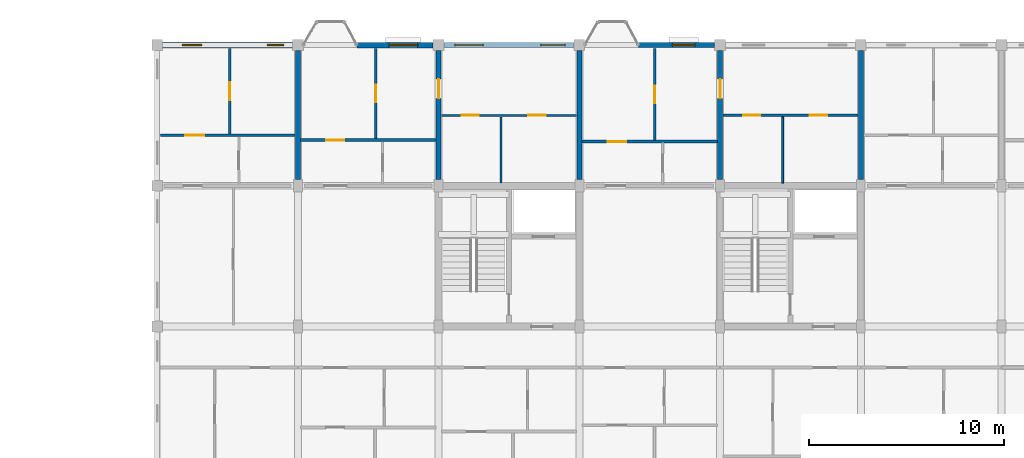
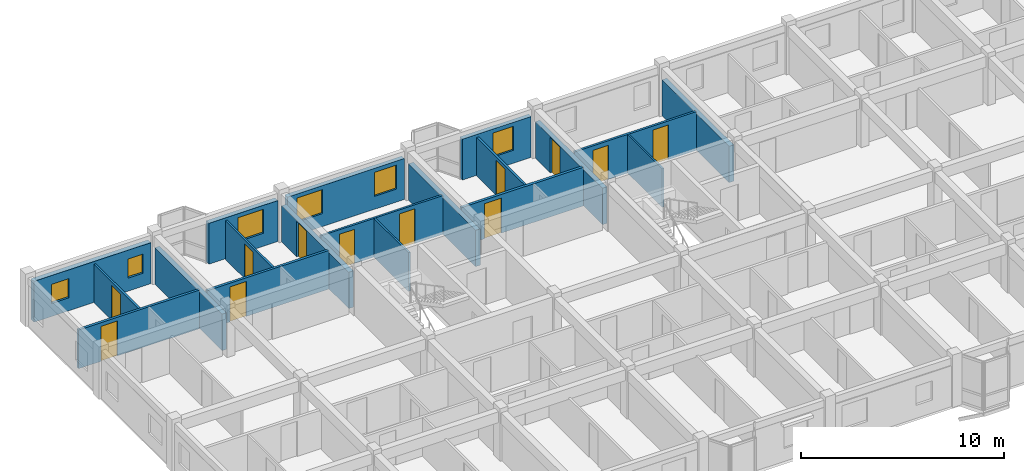
# One storey, part 69 of 77: 19 walls, 12 doors, 6 windows, 18 openings.
"""IFC4 building model written with IfcOpenShell, lengths in metres."""

from ifc_helpers import new_model, si_unit, direction, frame, frame_2d, origin, place, context, subcontext, project, spatial, rectangle, extrude, material, layer, layer_set, type_object, element, fill, save


model = new_model("IFC4")

# Units and contexts
model_context = context("Model", 3, precision=1e-05, world=origin(), true_north=direction((0.0, 1.0)))
body_context = subcontext(model_context, "Body", "Model", "MODEL_VIEW")
ifc_project = project(units=[si_unit("LENGTHUNIT", "METRE"), si_unit("AREAUNIT", "SQUARE_METRE"), si_unit("VOLUMEUNIT", "CUBIC_METRE"), si_unit("PLANEANGLEUNIT", "RADIAN"), si_unit("MASSUNIT", "GRAM", prefix="KILO"), si_unit("THERMODYNAMICTEMPERATUREUNIT", "KELVIN"), si_unit("POWERUNIT", "WATT")], contexts=[model_context])

# Site, building, storey
site_placement = place(None, origin())
site = spatial("IfcSite", under=ifc_project, at=site_placement, CompositionType="ELEMENT")
building_placement = place(site_placement, origin())
building = spatial("IfcBuilding", under=site, at=building_placement, Name="Tavuni Mirador Residences", CompositionType="ELEMENT")
storey_placement = place(building_placement, frame((0.0, 0.0, 10.800048828125)))
storey = spatial("IfcBuildingStorey", under=building, at=storey_placement, Name="L03", CompositionType="ELEMENT", Elevation=10.800048828125)

# Wall, opening, window
ifc_material_1 = material(Name="Sgraffito lime-rendered precast concrete C40/50", Category="concrete")
ifc_layer_1 = layer(ifc_material_1, 0.2451171875, Name="Sgraffito lime-rendered precast concrete C40/50", Category="concrete")
ifc_layer_set_1 = layer_set([ifc_layer_1], Name="Sgraffito lime-rendered precast concrete C40/50")
wall_type_1 = type_object("IfcWallType", Name="WT-EXT-PC245", PredefinedType="SOLIDWALL", material=ifc_layer_set_1)
wall_1_placement = place(storey_placement, frame((39.324951171875, 172.800048828125, 0.0), z_axis=(0.0, 0.0, 1.0), x_axis=(-1.0, 0.0, 0.0)))
wall_1 = element("IfcWall", 1, at=wall_1_placement, inside=storey, type_object=wall_type_1, Name="EW-BLK-C-L03-N03", PredefinedType="SOLIDWALL", context=body_context, shape_type="SweptSolid", body=[
    extrude(rectangle(XDim=3.905029296875, YDim=0.2451171875, at=frame_2d((1.95263671875, 0.0))), origin(), (0.0, 0.0, 1.0), 2.454833984375),
])
opening_1_placement = place(wall_1_placement, frame((1.012451171875, 0.0, 0.780029296875)))
opening_1 = element("IfcOpeningElement", 2, at=opening_1_placement, cuts=wall_1, Name="Opening WN-27", PredefinedType="OPENING", context=body_context, shape_type="SweptSolid", body=[
    extrude(rectangle(XDim=1.14990234375, YDim=1.43994140625, at=frame_2d((0.574951171875, 0.719970703125))), frame((0.0, 0.132568359375, 0.0), z_axis=(0.0, -1.0, 0.0), x_axis=(1.0, 0.0, 0.0)), (0.0, 0.0, 1.0), 0.26513671875),
])
ifc_material_2 = material(Name="Laminated solar-control glass", Category="glass")
window_type_1 = type_object("IfcWindowType", Name="WNT-27", PartitioningType="SINGLE_PANEL", PredefinedType="WINDOW", material=ifc_material_2)
window_1_placement = place(opening_1_placement, origin())
window_1 = element("IfcWindow", 3, at=window_1_placement, inside=storey, type_object=window_type_1, Name="WIN-0983", OverallHeight=1.43994140625, OverallWidth=1.14990234375, PartitioningType="SINGLE_PANEL", PredefinedType="WINDOW", context=body_context, shape_type="SweptSolid", body=[
    extrude(rectangle(XDim=1.14990234375, YDim=1.43994140625, at=frame_2d((0.574951171875, 0.719970703125))), frame((0.0, 0.030029296875, 0.0), z_axis=(0.0, -1.0, 0.0), x_axis=(1.0, 0.0, 0.0)), (0.0, 0.0, 1.0), 0.06005859375),
])
fill(opening_1, window_1)

# Wall, openings, windows
ifc_layer_2 = layer(ifc_material_1, 0.2548828125, Name="Sgraffito lime-rendered precast concrete C40/50", Category="concrete")
ifc_layer_set_2 = layer_set([ifc_layer_2], Name="Sgraffito lime-rendered precast concrete C40/50")
wall_type_2 = type_object("IfcWallType", Name="WT-EXT-PC255", PredefinedType="SOLIDWALL", material=ifc_layer_set_2)
wall_2_placement = place(storey_placement, frame((32.125, 172.800048828125, 0.0), z_axis=(0.0, 0.0, 1.0), x_axis=(-1.0, 0.0, 0.0)))
wall_2 = element("IfcWall", 4, at=wall_2_placement, inside=storey, type_object=wall_type_2, Name="EW-BLK-C-L03-N02", PredefinedType="SOLIDWALL", context=body_context, shape_type="SweptSolid", body=[
    extrude(rectangle(XDim=6.64990234375, YDim=0.2548828125, at=frame_2d((3.324951171875, 0.0))), origin(), (0.0, 0.0, 1.0), 2.454833984375),
])
opening_2_placement = place(wall_2_placement, frame((0.449951171875, 0.0, 0.780029296875)))
opening_2 = element("IfcOpeningElement", 5, at=opening_2_placement, cuts=wall_2, Name="Opening WN-28", PredefinedType="OPENING", context=body_context, shape_type="SweptSolid", body=[
    extrude(rectangle(XDim=1.25, YDim=1.43994140625, at=frame_2d((0.625, 0.719970703125))), frame((0.0, 0.137451171875, 0.0), z_axis=(0.0, -1.0, 0.0), x_axis=(1.0, 0.0, 0.0)), (0.0, 0.0, 1.0), 0.27490234375),
])
opening_3_placement = place(wall_2_placement, frame((4.64990234375, 0.0, 0.780029296875)))
opening_3 = element("IfcOpeningElement", 6, at=opening_3_placement, cuts=wall_2, Name="Opening WN-30", PredefinedType="OPENING", context=body_context, shape_type="SweptSolid", body=[
    extrude(rectangle(XDim=1.449951171875, YDim=1.43994140625, at=frame_2d((0.72509765625, 0.719970703125))), frame((0.0, 0.137451171875, 0.0), z_axis=(0.0, -1.0, 0.0), x_axis=(1.0, 0.0, 0.0)), (0.0, 0.0, 1.0), 0.27490234375),
])
window_type_2 = type_object("IfcWindowType", Name="WNT-28", PartitioningType="SINGLE_PANEL", PredefinedType="WINDOW", material=ifc_material_2)
window_2_placement = place(opening_2_placement, origin())
window_2 = element("IfcWindow", 7, at=window_2_placement, inside=storey, type_object=window_type_2, Name="WIN-0984", OverallHeight=1.43994140625, OverallWidth=1.25, PartitioningType="SINGLE_PANEL", PredefinedType="WINDOW", context=body_context, shape_type="SweptSolid", body=[
    extrude(rectangle(XDim=1.25, YDim=1.43994140625, at=frame_2d((0.625, 0.719970703125))), frame((0.0, 0.030029296875, 0.0), z_axis=(0.0, -1.0, 0.0), x_axis=(1.0, 0.0, 0.0)), (0.0, 0.0, 1.0), 0.06005859375),
])
fill(opening_2, window_2)
window_type_3 = type_object("IfcWindowType", Name="WNT-30", PartitioningType="SINGLE_PANEL", PredefinedType="WINDOW", material=ifc_material_2)
window_3_placement = place(opening_3_placement, origin())
window_3 = element("IfcWindow", 8, at=window_3_placement, inside=storey, type_object=window_type_3, Name="WIN-0985", OverallHeight=1.43994140625, OverallWidth=1.449951171875, PartitioningType="SINGLE_PANEL", PredefinedType="WINDOW", context=body_context, shape_type="SweptSolid", body=[
    extrude(rectangle(XDim=1.449951171875, YDim=1.43994140625, at=frame_2d((0.72509765625, 0.719970703125))), frame((0.0, 0.030029296875, 0.0), z_axis=(0.0, -1.0, 0.0), x_axis=(1.0, 0.0, 0.0)), (0.0, 0.0, 1.0), 0.06005859375),
])
fill(opening_3, window_3)

# Wall, opening, window
ifc_layer_3 = layer(ifc_material_1, 0.27490234375, Name="Sgraffito lime-rendered precast concrete C40/50", Category="concrete")
ifc_layer_set_3 = layer_set([ifc_layer_3], Name="Sgraffito lime-rendered precast concrete C40/50")
wall_type_3 = type_object("IfcWallType", Name="WT-EXT-PC275", PredefinedType="SOLIDWALL", material=ifc_layer_set_3)
wall_3_placement = place(storey_placement, frame((24.925048828125, 172.800048828125, 0.0), z_axis=(0.0, 0.0, 1.0), x_axis=(-1.0, 0.0, 0.0)))
wall_3 = element("IfcWall", 9, at=wall_3_placement, inside=storey, type_object=wall_type_3, Name="EW-BLK-C-L03-N01", PredefinedType="SOLIDWALL", context=body_context, shape_type="SweptSolid", body=[
    extrude(rectangle(XDim=3.905029296875, YDim=0.27490234375, at=frame_2d((1.95263671875, 0.0))), origin(), (0.0, 0.0, 1.0), 2.454833984375),
])
opening_4_placement = place(wall_3_placement, frame((0.802490234375, 0.0, 0.780029296875)))
opening_4 = element("IfcOpeningElement", 10, at=opening_4_placement, cuts=wall_3, Name="Opening WN-30", PredefinedType="OPENING", context=body_context, shape_type="SweptSolid", body=[
    extrude(rectangle(XDim=1.449951171875, YDim=1.43994140625, at=frame_2d((0.72509765625, 0.719970703125))), frame((0.0, 0.1474609375, 0.0), z_axis=(0.0, -1.0, 0.0), x_axis=(1.0, 0.0, 0.0)), (0.0, 0.0, 1.0), 0.294921875),
])
window_4_placement = place(opening_4_placement, origin())
window_4 = element("IfcWindow", 11, at=window_4_placement, inside=storey, type_object=window_type_3, Name="WIN-0986", OverallHeight=1.43994140625, OverallWidth=1.449951171875, PartitioningType="SINGLE_PANEL", PredefinedType="WINDOW", context=body_context, shape_type="SweptSolid", body=[
    extrude(rectangle(XDim=1.449951171875, YDim=1.43994140625, at=frame_2d((0.72509765625, 0.719970703125))), frame((0.0, 0.030029296875, 0.0), z_axis=(0.0, -1.0, 0.0), x_axis=(1.0, 0.0, 0.0)), (0.0, 0.0, 1.0), 0.06005859375),
])
fill(opening_4, window_4)

# Wall, openings, windows
ifc_layer_4 = layer(ifc_material_1, 0.2900390625, Name="Sgraffito lime-rendered precast concrete C40/50", Category="concrete")
ifc_layer_set_4 = layer_set([ifc_layer_4], Name="Sgraffito lime-rendered precast concrete C40/50")
wall_type_4 = type_object("IfcWallType", Name="WT-EXT-PC290", PredefinedType="SOLIDWALL", material=ifc_layer_set_4)
wall_4_placement = place(storey_placement, frame((17.72509765625, 172.800048828125, 0.0), z_axis=(0.0, 0.0, 1.0), x_axis=(-1.0, 0.0, 0.0)))
wall_4 = element("IfcWall", 12, at=wall_4_placement, inside=storey, type_object=wall_type_4, Name="EW-BLK-C-L03-N00", PredefinedType="SOLIDWALL", context=body_context, shape_type="SweptSolid", body=[
    extrude(rectangle(XDim=6.650146484375, YDim=0.2900390625, at=frame_2d((3.3251953125, 0.0))), origin(), (0.0, 0.0, 1.0), 2.454833984375),
])
opening_5_placement = place(wall_4_placement, frame((0.449951171875, 0.0, 0.780029296875)))
opening_5 = element("IfcOpeningElement", 13, at=opening_5_placement, cuts=wall_4, Name="Opening WN-01", PredefinedType="OPENING", context=body_context, shape_type="SweptSolid", body=[
    extrude(rectangle(XDim=0.85009765625, YDim=1.14990234375, at=frame_2d((0.425048828125, 0.574951171875))), frame((0.0, 0.155029296875, 0.0), z_axis=(0.0, -1.0, 0.0), x_axis=(1.0, 0.0, 0.0)), (0.0, 0.0, 1.0), 0.31005859375),
])
opening_6_placement = place(wall_4_placement, frame((4.64990234375, 0.0, 0.780029296875)))
opening_6 = element("IfcOpeningElement", 14, at=opening_6_placement, cuts=wall_4, Name="Opening WN-03", PredefinedType="OPENING", context=body_context, shape_type="SweptSolid", body=[
    extrude(rectangle(XDim=1.0, YDim=1.14990234375, at=frame_2d((0.5, 0.574951171875))), frame((0.0, 0.155029296875, 0.0), z_axis=(0.0, -1.0, 0.0), x_axis=(1.0, 0.0, 0.0)), (0.0, 0.0, 1.0), 0.31005859375),
])
window_type_4 = type_object("IfcWindowType", Name="WNT-01", PartitioningType="SINGLE_PANEL", PredefinedType="WINDOW", material=ifc_material_2)
window_5_placement = place(opening_5_placement, origin())
window_5 = element("IfcWindow", 15, at=window_5_placement, inside=storey, type_object=window_type_4, Name="WIN-0987", OverallHeight=1.14990234375, OverallWidth=0.85009765625, PartitioningType="SINGLE_PANEL", PredefinedType="WINDOW", context=body_context, shape_type="SweptSolid", body=[
    extrude(rectangle(XDim=0.85009765625, YDim=1.14990234375, at=frame_2d((0.425048828125, 0.574951171875))), frame((0.0, 0.030029296875, 0.0), z_axis=(0.0, -1.0, 0.0), x_axis=(1.0, 0.0, 0.0)), (0.0, 0.0, 1.0), 0.06005859375),
])
fill(opening_5, window_5)
window_type_5 = type_object("IfcWindowType", Name="WNT-03", PartitioningType="SINGLE_PANEL", PredefinedType="WINDOW", material=ifc_material_2)
window_6_placement = place(opening_6_placement, origin())
window_6 = element("IfcWindow", 16, at=window_6_placement, inside=storey, type_object=window_type_5, Name="WIN-0988", OverallHeight=1.14990234375, OverallWidth=1.0, PartitioningType="SINGLE_PANEL", PredefinedType="WINDOW", context=body_context, shape_type="SweptSolid", body=[
    extrude(rectangle(XDim=1.0, YDim=1.14990234375, at=frame_2d((0.5, 0.574951171875))), frame((0.0, 0.030029296875, 0.0), z_axis=(0.0, -1.0, 0.0), x_axis=(1.0, 0.0, 0.0)), (0.0, 0.0, 1.0), 0.06005859375),
])
fill(opening_6, window_6)

# Walls
ifc_material_3 = material(Name="Acoustic gypsum and concrete block partition", Category="concrete")
ifc_layer_5 = layer(ifc_material_3, 0.094970703125, Name="Acoustic gypsum and concrete block partition", Category="concrete")
ifc_layer_set_5 = layer_set([ifc_layer_5], Name="Acoustic gypsum and concrete block partition")
wall_type_5 = type_object("IfcWallType", Name="WT-PART095", PredefinedType="PARTITIONING", material=ifc_layer_set_5)
wall_5_placement = place(storey_placement, frame((42.800048828125, 165.739990234375, 0.0), z_axis=(0.0, 0.0, 1.0), x_axis=(0.0, 1.0, 0.0)))
element("IfcWall", 17, at=wall_5_placement, inside=storey, type_object=wall_type_5, Name="PW-BLK-C-L03-NC04-V", PredefinedType="PARTITIONING", context=body_context, shape_type="SweptSolid", body=[
    extrude(rectangle(XDim=3.389892578125, YDim=0.094970703125, at=frame_2d((1.69482421875, 0.0))), origin(), (0.0, 0.0, 1.0), 2.320068359375),
])
ifc_layer_6 = layer(ifc_material_3, 0.10498046875, Name="Acoustic gypsum and concrete block partition", Category="concrete")
ifc_layer_set_6 = layer_set([ifc_layer_6], Name="Acoustic gypsum and concrete block partition")
wall_type_6 = type_object("IfcWallType", Name="WT-PART105", PredefinedType="PARTITIONING", material=ifc_layer_set_6)
wall_6_placement = place(storey_placement, frame((28.39990234375, 165.739990234375, 0.0), z_axis=(0.0, 0.0, 1.0), x_axis=(0.0, 1.0, 0.0)))
element("IfcWall", 18, at=wall_6_placement, inside=storey, type_object=wall_type_6, Name="PW-BLK-C-L03-NC02-V", PredefinedType="PARTITIONING", context=body_context, shape_type="SweptSolid", body=[
    extrude(rectangle(XDim=3.389892578125, YDim=0.10498046875, at=frame_2d((1.69482421875, 0.0))), origin(), (0.0, 0.0, 1.0), 2.320068359375),
])

# Wall, opening, door
ifc_layer_7 = layer(ifc_material_3, 0.114990234375, Name="Acoustic gypsum and concrete block partition", Category="concrete")
ifc_layer_set_7 = layer_set([ifc_layer_7], Name="Acoustic gypsum and concrete block partition")
wall_type_7 = type_object("IfcWallType", Name="WT-PART115", PredefinedType="PARTITIONING", material=ifc_layer_set_7)
wall_7_placement = place(storey_placement, frame((14.52001953125, 168.25, 0.0), z_axis=(0.0, 0.0, 1.0), x_axis=(0.0, 1.0, 0.0)))
wall_7 = element("IfcWall", 19, at=wall_7_placement, inside=storey, type_object=wall_type_7, Name="PW-BLK-C-L03-N00-OUT", PredefinedType="PARTITIONING", context=body_context, shape_type="SweptSolid", body=[
    extrude(rectangle(XDim=4.375, YDim=0.114990234375, at=frame_2d((2.1875, 0.0))), origin(), (0.0, 0.0, 1.0), 2.320068359375),
])
opening_7_placement = place(wall_7_placement, frame((1.737548828125, 0.0, 0.0)))
opening_7 = element("IfcOpeningElement", 20, at=opening_7_placement, cuts=wall_7, Name="Opening D-07", PredefinedType="OPENING", context=body_context, shape_type="SweptSolid", body=[
    extrude(rectangle(XDim=0.89990234375, YDim=2.10009765625, at=frame_2d((0.449951171875, 1.050048828125))), frame((0.0, 0.0673828125, 0.0), z_axis=(0.0, -1.0, 0.0), x_axis=(1.0, 0.0, 0.0)), (0.0, 0.0, 1.0), 0.135009765625),
])
ifc_material_4 = material(Name="Solid core iroko timber", Category="wood")
door_type_1 = type_object("IfcDoorType", Name="DT-BED900", OperationType="NOTDEFINED", PredefinedType="DOOR", material=ifc_material_4)
door_1_placement = place(opening_7_placement, origin())
door_1 = element("IfcDoor", 21, at=door_1_placement, inside=storey, type_object=door_type_1, Name="DR-3799", OperationType="SINGLE_SWING_RIGHT", OverallHeight=2.10009765625, OverallWidth=0.89990234375, PredefinedType="DOOR", context=body_context, shape_type="SweptSolid", body=[
    extrude(rectangle(XDim=0.89990234375, YDim=2.10009765625, at=frame_2d((0.449951171875, 1.050048828125))), frame((0.0, 0.02490234375, 0.0), z_axis=(0.0, -1.0, 0.0), x_axis=(1.0, 0.0, 0.0)), (0.0, 0.0, 1.0), 0.050048828125),
])
fill(opening_7, door_1)

wall_8_placement = place(storey_placement, frame((21.97998046875, 168.010009765625, 0.0), z_axis=(0.0, 0.0, 1.0), x_axis=(0.0, 1.0, 0.0)))
wall_8 = element("IfcWall", 22, at=wall_8_placement, inside=storey, type_object=wall_type_7, Name="PW-BLK-C-L03-N01-OUT", PredefinedType="PARTITIONING", context=body_context, shape_type="SweptSolid", body=[
    extrude(rectangle(XDim=4.614990234375, YDim=0.114990234375, at=frame_2d((2.3076171875, 0.0))), origin(), (0.0, 0.0, 1.0), 2.320068359375),
])
opening_8_placement = place(wall_8_placement, frame((1.867431640625, 0.0, 0.0)))
opening_8 = element("IfcOpeningElement", 23, at=opening_8_placement, cuts=wall_8, Name="Opening D-08", PredefinedType="OPENING", context=body_context, shape_type="SweptSolid", body=[
    extrude(rectangle(XDim=0.8798828125, YDim=2.080078125, at=frame_2d((0.43994140625, 1.0400390625))), frame((0.0, 0.0673828125, 0.0), z_axis=(0.0, -1.0, 0.0), x_axis=(1.0, 0.0, 0.0)), (0.0, 0.0, 1.0), 0.135009765625),
])
door_type_2 = type_object("IfcDoorType", Name="DT-BED880", OperationType="NOTDEFINED", PredefinedType="DOOR", material=ifc_material_4)
door_2_placement = place(opening_8_placement, origin())
door_2 = element("IfcDoor", 24, at=door_2_placement, inside=storey, type_object=door_type_2, Name="DR-3805", OperationType="SINGLE_SWING_LEFT", OverallHeight=2.080078125, OverallWidth=0.8798828125, PredefinedType="DOOR", context=body_context, shape_type="SweptSolid", body=[
    extrude(rectangle(XDim=0.8798828125, YDim=2.080078125, at=frame_2d((0.43994140625, 1.0400390625))), frame((0.0, 0.02490234375, 0.0), z_axis=(0.0, -1.0, 0.0), x_axis=(1.0, 0.0, 0.0)), (0.0, 0.0, 1.0), 0.050048828125),
])
fill(opening_8, door_2)

# Wall, openings, doors
wall_9_placement = place(storey_placement, frame((25.340087890625, 169.199951171875, 0.0), z_axis=(0.0, 0.0, 1.0), x_axis=(1.0, 0.0, 0.0)))
wall_9 = element("IfcWall", 25, at=wall_9_placement, inside=storey, type_object=wall_type_7, Name="PW-BLK-C-L03-NC02-M", PredefinedType="PARTITIONING", context=body_context, shape_type="SweptSolid", body=[
    extrude(rectangle(XDim=6.919921875, YDim=0.114990234375, at=frame_2d((3.4599609375, 0.0))), origin(), (0.0, 0.0, 1.0), 2.320068359375),
])
opening_9_placement = place(wall_9_placement, frame((1.050048828125, 0.0, 0.0)))
opening_9 = element("IfcOpeningElement", 26, at=opening_9_placement, cuts=wall_9, Name="Opening D-10", PredefinedType="OPENING", context=body_context, shape_type="SweptSolid", body=[
    extrude(rectangle(XDim=0.8701171875, YDim=2.050048828125, at=frame_2d((0.43505859375, 1.02490234375))), frame((0.0, 0.0673828125, 0.0), z_axis=(0.0, -1.0, 0.0), x_axis=(1.0, 0.0, 0.0)), (0.0, 0.0, 1.0), 0.135009765625),
])
opening_10_placement = place(wall_9_placement, frame((4.449951171875, 0.0, 0.0)))
opening_10 = element("IfcOpeningElement", 27, at=opening_10_placement, cuts=wall_9, Name="Opening D-08", PredefinedType="OPENING", context=body_context, shape_type="SweptSolid", body=[
    extrude(rectangle(XDim=0.8798828125, YDim=2.080078125, at=frame_2d((0.43994140625, 1.0400390625))), frame((0.0, 0.0673828125, 0.0), z_axis=(0.0, -1.0, 0.0), x_axis=(1.0, 0.0, 0.0)), (0.0, 0.0, 1.0), 0.135009765625),
])
door_3_placement = place(opening_10_placement, origin())
door_3 = element("IfcDoor", 28, at=door_3_placement, inside=storey, type_object=door_type_2, Name="DR-3812", OperationType="SINGLE_SWING_RIGHT", OverallHeight=2.080078125, OverallWidth=0.8798828125, PredefinedType="DOOR", context=body_context, shape_type="SweptSolid", body=[
    extrude(rectangle(XDim=0.8798828125, YDim=2.080078125, at=frame_2d((0.43994140625, 1.0400390625))), frame((0.0, 0.02490234375, 0.0), z_axis=(0.0, -1.0, 0.0), x_axis=(1.0, 0.0, 0.0)), (0.0, 0.0, 1.0), 0.050048828125),
])
fill(opening_10, door_3)
door_type_3 = type_object("IfcDoorType", Name="DT-WC870", OperationType="NOTDEFINED", PredefinedType="DOOR", material=ifc_material_4)
door_4_placement = place(opening_9_placement, origin())
door_4 = element("IfcDoor", 29, at=door_4_placement, inside=storey, type_object=door_type_3, Name="DR-3811", OperationType="SINGLE_SWING_LEFT", OverallHeight=2.050048828125, OverallWidth=0.8701171875, PredefinedType="DOOR", context=body_context, shape_type="SweptSolid", body=[
    extrude(rectangle(XDim=0.8701171875, YDim=2.050048828125, at=frame_2d((0.43505859375, 1.02490234375))), frame((0.0, 0.02490234375, 0.0), z_axis=(0.0, -1.0, 0.0), x_axis=(1.0, 0.0, 0.0)), (0.0, 0.0, 1.0), 0.050048828125),
])
fill(opening_9, door_4)

# Wall, opening, door
ifc_layer_8 = layer(ifc_material_3, 0.125, Name="Acoustic gypsum and concrete block partition", Category="concrete")
ifc_layer_set_8 = layer_set([ifc_layer_8], Name="Acoustic gypsum and concrete block partition")
wall_type_8 = type_object("IfcWallType", Name="WT-PART125", PredefinedType="PARTITIONING", material=ifc_layer_set_8)
wall_10_placement = place(storey_placement, frame((36.260009765625, 167.929931640625, 0.0), z_axis=(0.0, 0.0, 1.0), x_axis=(0.0, 1.0, 0.0)))
wall_10 = element("IfcWall", 30, at=wall_10_placement, inside=storey, type_object=wall_type_8, Name="PW-BLK-C-L03-N03-OUT", PredefinedType="PARTITIONING", context=body_context, shape_type="SweptSolid", body=[
    extrude(rectangle(XDim=4.695068359375, YDim=0.125, at=frame_2d((2.34765625, 0.0))), origin(), (0.0, 0.0, 1.0), 2.320068359375),
])
opening_11_placement = place(wall_10_placement, frame((1.8974609375, 0.0, 0.0)))
opening_11 = element("IfcOpeningElement", 31, at=opening_11_placement, cuts=wall_10, Name="Opening D-07", PredefinedType="OPENING", context=body_context, shape_type="SweptSolid", body=[
    extrude(rectangle(XDim=0.89990234375, YDim=2.10009765625, at=frame_2d((0.449951171875, 1.050048828125))), frame((0.0, 0.072509765625, 0.0), z_axis=(0.0, -1.0, 0.0), x_axis=(1.0, 0.0, 0.0)), (0.0, 0.0, 1.0), 0.14501953125),
])
door_5_placement = place(opening_11_placement, origin())
door_5 = element("IfcDoor", 32, at=door_5_placement, inside=storey, type_object=door_type_1, Name="DR-3816", OperationType="SINGLE_SWING_RIGHT", OverallHeight=2.10009765625, OverallWidth=0.89990234375, PredefinedType="DOOR", context=body_context, shape_type="SweptSolid", body=[
    extrude(rectangle(XDim=0.89990234375, YDim=2.10009765625, at=frame_2d((0.449951171875, 1.050048828125))), frame((0.0, 0.02490234375, 0.0), z_axis=(0.0, -1.0, 0.0), x_axis=(1.0, 0.0, 0.0)), (0.0, 0.0, 1.0), 0.050048828125),
])
fill(opening_11, door_5)

# Wall, openings, doors
wall_11_placement = place(storey_placement, frame((39.739990234375, 169.199951171875, 0.0), z_axis=(0.0, 0.0, 1.0), x_axis=(1.0, 0.0, 0.0)))
wall_11 = element("IfcWall", 33, at=wall_11_placement, inside=storey, type_object=wall_type_8, Name="PW-BLK-C-L03-NC04-M", PredefinedType="PARTITIONING", context=body_context, shape_type="SweptSolid", body=[
    extrude(rectangle(XDim=6.919921875, YDim=0.125, at=frame_2d((3.4599609375, 0.0))), origin(), (0.0, 0.0, 1.0), 2.320068359375),
])
opening_12_placement = place(wall_11_placement, frame((1.050048828125, 0.0, 0.0)))
opening_12 = element("IfcOpeningElement", 34, at=opening_12_placement, cuts=wall_11, Name="Opening D-10", PredefinedType="OPENING", context=body_context, shape_type="SweptSolid", body=[
    extrude(rectangle(XDim=0.8701171875, YDim=2.050048828125, at=frame_2d((0.43505859375, 1.02490234375))), frame((0.0, 0.072509765625, 0.0), z_axis=(0.0, -1.0, 0.0), x_axis=(1.0, 0.0, 0.0)), (0.0, 0.0, 1.0), 0.14501953125),
])
opening_13_placement = place(wall_11_placement, frame((4.449951171875, 0.0, 0.0)))
opening_13 = element("IfcOpeningElement", 35, at=opening_13_placement, cuts=wall_11, Name="Opening D-08", PredefinedType="OPENING", context=body_context, shape_type="SweptSolid", body=[
    extrude(rectangle(XDim=0.8798828125, YDim=2.080078125, at=frame_2d((0.43994140625, 1.0400390625))), frame((0.0, 0.072509765625, 0.0), z_axis=(0.0, -1.0, 0.0), x_axis=(1.0, 0.0, 0.0)), (0.0, 0.0, 1.0), 0.14501953125),
])
door_6_placement = place(opening_13_placement, origin())
door_6 = element("IfcDoor", 36, at=door_6_placement, inside=storey, type_object=door_type_2, Name="DR-3823", OperationType="SINGLE_SWING_RIGHT", OverallHeight=2.080078125, OverallWidth=0.8798828125, PredefinedType="DOOR", context=body_context, shape_type="SweptSolid", body=[
    extrude(rectangle(XDim=0.8798828125, YDim=2.080078125, at=frame_2d((0.43994140625, 1.0400390625))), frame((0.0, 0.02490234375, 0.0), z_axis=(0.0, -1.0, 0.0), x_axis=(1.0, 0.0, 0.0)), (0.0, 0.0, 1.0), 0.050048828125),
])
fill(opening_13, door_6)
door_7_placement = place(opening_12_placement, origin())
door_7 = element("IfcDoor", 37, at=door_7_placement, inside=storey, type_object=door_type_3, Name="DR-3822", OperationType="SINGLE_SWING_LEFT", OverallHeight=2.050048828125, OverallWidth=0.8701171875, PredefinedType="DOOR", context=body_context, shape_type="SweptSolid", body=[
    extrude(rectangle(XDim=0.8701171875, YDim=2.050048828125, at=frame_2d((0.43505859375, 1.02490234375))), frame((0.0, 0.02490234375, 0.0), z_axis=(0.0, -1.0, 0.0), x_axis=(1.0, 0.0, 0.0)), (0.0, 0.0, 1.0), 0.050048828125),
])
fill(opening_12, door_7)

# Wall, opening, door
ifc_layer_9 = layer(ifc_material_3, 0.139892578125, Name="Acoustic gypsum and concrete block partition", Category="concrete")
ifc_layer_set_9 = layer_set([ifc_layer_9], Name="Acoustic gypsum and concrete block partition")
wall_type_9 = type_object("IfcWallType", Name="WT-PART140", PredefinedType="PARTITIONING", material=ifc_layer_set_9)
wall_12_placement = place(storey_placement, frame((10.97509765625, 168.179931640625, 0.0), z_axis=(0.0, 0.0, 1.0), x_axis=(1.0, 0.0, 0.0)))
wall_12 = element("IfcWall", 38, at=wall_12_placement, inside=storey, type_object=wall_type_9, Name="PW-BLK-C-L03-N00-MID", PredefinedType="PARTITIONING", context=body_context, shape_type="SweptSolid", body=[
    extrude(rectangle(XDim=6.885009765625, YDim=0.139892578125, at=frame_2d((3.4423828125, 0.0))), origin(), (0.0, 0.0, 1.0), 2.320068359375),
])
opening_14_placement = place(wall_12_placement, frame((1.27490234375, 0.0, 0.0)))
opening_14 = element("IfcOpeningElement", 39, at=opening_14_placement, cuts=wall_12, Name="Opening D-05", PredefinedType="OPENING", context=body_context, shape_type="SweptSolid", body=[
    extrude(rectangle(XDim=0.949951171875, YDim=2.10009765625, at=frame_2d((0.47509765625, 1.050048828125))), frame((0.0, 0.080078125, 0.0), z_axis=(0.0, -1.0, 0.0), x_axis=(1.0, 0.0, 0.0)), (0.0, 0.0, 1.0), 0.159912109375),
])
door_type_4 = type_object("IfcDoorType", Name="DT-INT950", OperationType="NOTDEFINED", PredefinedType="DOOR", material=ifc_material_4)
door_8_placement = place(opening_14_placement, origin())
door_8 = element("IfcDoor", 40, at=door_8_placement, inside=storey, type_object=door_type_4, Name="DR-3801", OperationType="SINGLE_SWING_LEFT", OverallHeight=2.10009765625, OverallWidth=0.949951171875, PredefinedType="DOOR", context=body_context, shape_type="SweptSolid", body=[
    extrude(rectangle(XDim=0.949951171875, YDim=2.10009765625, at=frame_2d((0.47509765625, 1.050048828125))), frame((0.0, 0.02490234375, 0.0), z_axis=(0.0, -1.0, 0.0), x_axis=(1.0, 0.0, 0.0)), (0.0, 0.0, 1.0), 0.050048828125),
])
fill(opening_14, door_8)

wall_13_placement = place(storey_placement, frame((18.139892578125, 167.93994140625, 0.0), z_axis=(0.0, 0.0, 1.0), x_axis=(1.0, 0.0, 0.0)))
wall_13 = element("IfcWall", 41, at=wall_13_placement, inside=storey, type_object=wall_type_9, Name="PW-BLK-C-L03-N01-MID", PredefinedType="PARTITIONING", context=body_context, shape_type="SweptSolid", body=[
    extrude(rectangle(XDim=6.920166015625, YDim=0.139892578125, at=frame_2d((3.4599609375, 0.0))), origin(), (0.0, 0.0, 1.0), 2.320068359375),
])
opening_15_placement = place(wall_13_placement, frame((1.31005859375, 0.0, 0.0)))
opening_15 = element("IfcOpeningElement", 42, at=opening_15_placement, cuts=wall_13, Name="Opening D-06", PredefinedType="OPENING", context=body_context, shape_type="SweptSolid", body=[
    extrude(rectangle(XDim=0.919921875, YDim=2.10009765625, at=frame_2d((0.4599609375, 1.050048828125))), frame((0.0, 0.080078125, 0.0), z_axis=(0.0, -1.0, 0.0), x_axis=(1.0, 0.0, 0.0)), (0.0, 0.0, 1.0), 0.159912109375),
])
door_type_5 = type_object("IfcDoorType", Name="DT-INT920", OperationType="NOTDEFINED", PredefinedType="DOOR", material=ifc_material_4)
door_9_placement = place(opening_15_placement, origin())
door_9 = element("IfcDoor", 43, at=door_9_placement, inside=storey, type_object=door_type_5, Name="DR-3807", OperationType="SINGLE_SWING_RIGHT", OverallHeight=2.10009765625, OverallWidth=0.919921875, PredefinedType="DOOR", context=body_context, shape_type="SweptSolid", body=[
    extrude(rectangle(XDim=0.919921875, YDim=2.10009765625, at=frame_2d((0.4599609375, 1.050048828125))), frame((0.0, 0.02490234375, 0.0), z_axis=(0.0, -1.0, 0.0), x_axis=(1.0, 0.0, 0.0)), (0.0, 0.0, 1.0), 0.050048828125),
])
fill(opening_15, door_9)

ifc_layer_10 = layer(ifc_material_3, 0.14990234375, Name="Acoustic gypsum and concrete block partition", Category="concrete")
ifc_layer_set_10 = layer_set([ifc_layer_10], Name="Acoustic gypsum and concrete block partition")
wall_type_10 = type_object("IfcWallType", Name="WT-PART150", PredefinedType="PARTITIONING", material=ifc_layer_set_10)
wall_14_placement = place(storey_placement, frame((32.5400390625, 167.860107421875, 0.0), z_axis=(0.0, 0.0, 1.0), x_axis=(1.0, 0.0, 0.0)))
wall_14 = element("IfcWall", 44, at=wall_14_placement, inside=storey, type_object=wall_type_10, Name="PW-BLK-C-L03-N03-MID", PredefinedType="PARTITIONING", context=body_context, shape_type="SweptSolid", body=[
    extrude(rectangle(XDim=6.919921875, YDim=0.14990234375, at=frame_2d((3.4599609375, 0.0))), origin(), (0.0, 0.0, 1.0), 2.320068359375),
])
opening_16_placement = place(wall_14_placement, frame((1.31005859375, 0.0, 0.0)))
opening_16 = element("IfcOpeningElement", 45, at=opening_16_placement, cuts=wall_14, Name="Opening D-05", PredefinedType="OPENING", context=body_context, shape_type="SweptSolid", body=[
    extrude(rectangle(XDim=0.949951171875, YDim=2.10009765625, at=frame_2d((0.47509765625, 1.050048828125))), frame((0.0, 0.0849609375, 0.0), z_axis=(0.0, -1.0, 0.0), x_axis=(1.0, 0.0, 0.0)), (0.0, 0.0, 1.0), 0.169921875),
])
door_10_placement = place(opening_16_placement, origin())
door_10 = element("IfcDoor", 46, at=door_10_placement, inside=storey, type_object=door_type_4, Name="DR-3818", OperationType="SINGLE_SWING_LEFT", OverallHeight=2.10009765625, OverallWidth=0.949951171875, PredefinedType="DOOR", context=body_context, shape_type="SweptSolid", body=[
    extrude(rectangle(XDim=0.949951171875, YDim=2.10009765625, at=frame_2d((0.47509765625, 1.050048828125))), frame((0.0, 0.02490234375, 0.0), z_axis=(0.0, -1.0, 0.0), x_axis=(1.0, 0.0, 0.0)), (0.0, 0.0, 1.0), 0.050048828125),
])
fill(opening_16, door_10)

# Wall
ifc_material_5 = material(Name="Precast concrete C40/50", Category="concrete")
ifc_layer_11 = layer(ifc_material_5, 0.264892578125, Name="Precast concrete C40/50", Category="concrete")
ifc_layer_set_11 = layer_set([ifc_layer_11], Name="Precast concrete C40/50")
wall_type_11 = type_object("IfcWallType", Name="WT-XW265", PredefinedType="SOLIDWALL", material=ifc_layer_set_11)
wall_15_placement = place(storey_placement, frame((18.0, 165.925048828125, 0.0), z_axis=(0.0, 0.0, 1.0), x_axis=(0.0, 1.0, 0.0)))
element("IfcWall", 47, at=wall_15_placement, inside=storey, type_object=wall_type_11, Name="XW-BLK-C-L03-N-01", PredefinedType="SOLIDWALL", context=body_context, shape_type="SweptSolid", body=[
    extrude(rectangle(XDim=6.599853515625, YDim=0.264892578125, at=frame_2d((3.2998046875, 0.0))), origin(), (0.0, 0.0, 1.0), 2.18505859375),
])

# Wall, opening, door
wall_16_placement = place(storey_placement, frame((25.199951171875, 165.925048828125, 0.0), z_axis=(0.0, 0.0, 1.0), x_axis=(0.0, 1.0, 0.0)))
wall_16 = element("IfcWall", 48, at=wall_16_placement, inside=storey, type_object=wall_type_11, Name="XW-BLK-C-L03-N-02", PredefinedType="SOLIDWALL", context=body_context, shape_type="SweptSolid", body=[
    extrude(rectangle(XDim=6.599853515625, YDim=0.264892578125, at=frame_2d((3.2998046875, 0.0))), origin(), (0.0, 0.0, 1.0), 2.18505859375),
])
opening_17_placement = place(wall_16_placement, frame((4.14990234375, 0.0, 0.0)))
opening_17 = element("IfcOpeningElement", 49, at=opening_17_placement, cuts=wall_16, Name="Opening D-04", PredefinedType="OPENING", context=body_context, shape_type="SweptSolid", body=[
    extrude(rectangle(XDim=0.97998046875, YDim=2.1201171875, at=frame_2d((0.489990234375, 1.06005859375))), frame((0.0, 0.142578125, 0.0), z_axis=(0.0, -1.0, 0.0), x_axis=(1.0, 0.0, 0.0)), (0.0, 0.0, 1.0), 0.284912109375),
])
door_type_6 = type_object("IfcDoorType", Name="DT-FD60-980", OperationType="NOTDEFINED", PredefinedType="DOOR", material=ifc_material_4)
door_11_placement = place(opening_17_placement, origin())
door_11 = element("IfcDoor", 50, at=door_11_placement, inside=storey, type_object=door_type_6, Name="DR-4734", OperationType="SINGLE_SWING_LEFT", OverallHeight=2.1201171875, OverallWidth=0.97998046875, PredefinedType="DOOR", context=body_context, shape_type="SweptSolid", body=[
    extrude(rectangle(XDim=0.97998046875, YDim=2.1201171875, at=frame_2d((0.489990234375, 1.06005859375))), frame((0.0, 0.02490234375, 0.0), z_axis=(0.0, -1.0, 0.0), x_axis=(1.0, 0.0, 0.0)), (0.0, 0.0, 1.0), 0.050048828125),
])
fill(opening_17, door_11)

# Wall
wall_17_placement = place(storey_placement, frame((32.39990234375, 165.925048828125, 0.0), z_axis=(0.0, 0.0, 1.0), x_axis=(0.0, 1.0, 0.0)))
element("IfcWall", 51, at=wall_17_placement, inside=storey, type_object=wall_type_11, Name="XW-BLK-C-L03-N-03", PredefinedType="SOLIDWALL", context=body_context, shape_type="SweptSolid", body=[
    extrude(rectangle(XDim=6.599853515625, YDim=0.264892578125, at=frame_2d((3.2998046875, 0.0))), origin(), (0.0, 0.0, 1.0), 2.18505859375),
])

# Wall, opening, door
wall_18_placement = place(storey_placement, frame((39.60009765625, 165.925048828125, 0.0), z_axis=(0.0, 0.0, 1.0), x_axis=(0.0, 1.0, 0.0)))
wall_18 = element("IfcWall", 52, at=wall_18_placement, inside=storey, type_object=wall_type_11, Name="XW-BLK-C-L03-N-04", PredefinedType="SOLIDWALL", context=body_context, shape_type="SweptSolid", body=[
    extrude(rectangle(XDim=6.599853515625, YDim=0.264892578125, at=frame_2d((3.2998046875, 0.0))), origin(), (0.0, 0.0, 1.0), 2.18505859375),
])
opening_18_placement = place(wall_18_placement, frame((4.14990234375, 0.0, 0.0)))
opening_18 = element("IfcOpeningElement", 53, at=opening_18_placement, cuts=wall_18, Name="Opening D-04", PredefinedType="OPENING", context=body_context, shape_type="SweptSolid", body=[
    extrude(rectangle(XDim=0.97998046875, YDim=2.1201171875, at=frame_2d((0.489990234375, 1.06005859375))), frame((0.0, 0.142578125, 0.0), z_axis=(0.0, -1.0, 0.0), x_axis=(1.0, 0.0, 0.0)), (0.0, 0.0, 1.0), 0.284912109375),
])
door_12_placement = place(opening_18_placement, origin())
door_12 = element("IfcDoor", 54, at=door_12_placement, inside=storey, type_object=door_type_6, Name="DR-4735", OperationType="SINGLE_SWING_RIGHT", OverallHeight=2.1201171875, OverallWidth=0.97998046875, PredefinedType="DOOR", context=body_context, shape_type="SweptSolid", body=[
    extrude(rectangle(XDim=0.97998046875, YDim=2.1201171875, at=frame_2d((0.489990234375, 1.06005859375))), frame((0.0, 0.02490234375, 0.0), z_axis=(0.0, -1.0, 0.0), x_axis=(1.0, 0.0, 0.0)), (0.0, 0.0, 1.0), 0.050048828125),
])
fill(opening_18, door_12)

# Wall
wall_19_placement = place(storey_placement, frame((46.800048828125, 165.925048828125, 0.0), z_axis=(0.0, 0.0, 1.0), x_axis=(0.0, 1.0, 0.0)))
element("IfcWall", 55, at=wall_19_placement, inside=storey, type_object=wall_type_11, Name="XW-BLK-C-L03-N-05", PredefinedType="SOLIDWALL", context=body_context, shape_type="SweptSolid", body=[
    extrude(rectangle(XDim=6.599853515625, YDim=0.264892578125, at=frame_2d((3.2998046875, 0.0))), origin(), (0.0, 0.0, 1.0), 2.18505859375),
])

save(model, "model.ifc")
